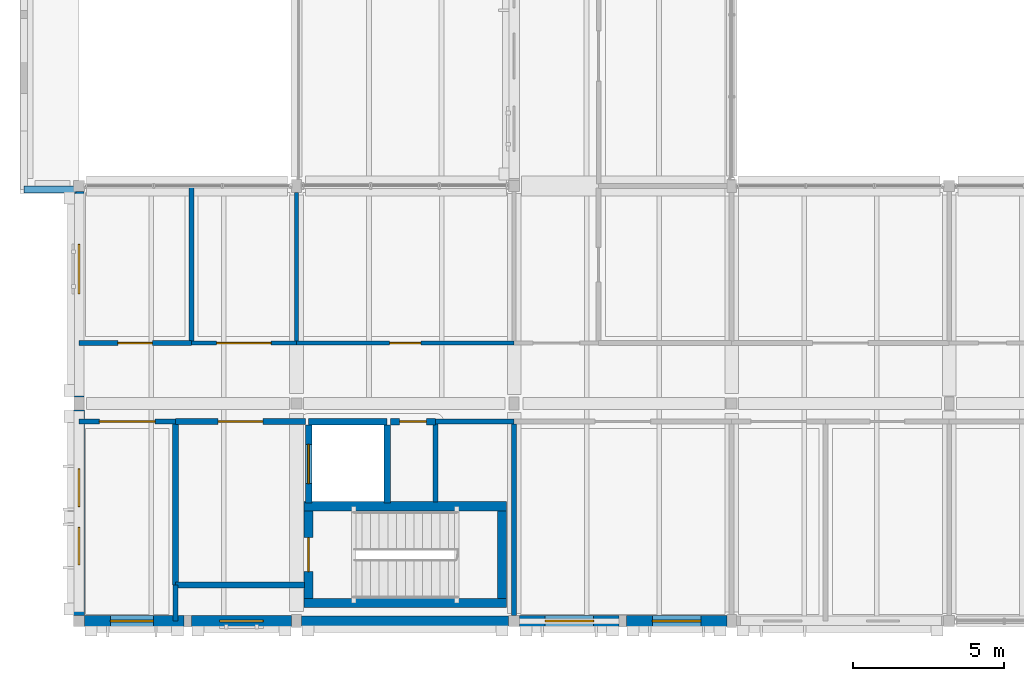
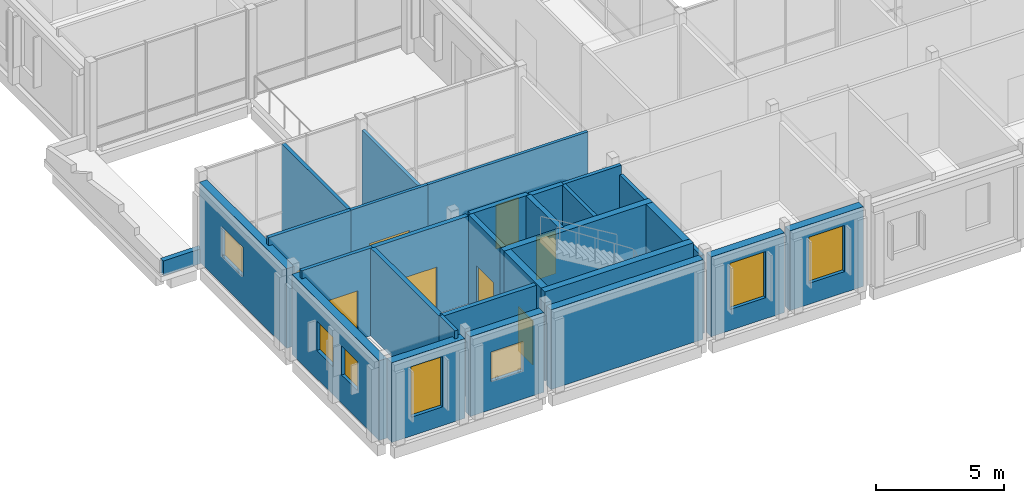
# One storey, part 104 of 146: 29 walls, 8 doors, 7 windows, 15 openings.
"""IFC4 building model written with IfcOpenShell, lengths in metres."""

from ifc_helpers import new_model, si_unit, direction, frame, frame_2d, origin, place, context, subcontext, project, spatial, rectangle, extrude, material, layer, layer_set, type_object, element, fill, save


model = new_model("IFC4")

# Units and contexts
model_context = context("Model", 3, precision=1e-05, world=origin(), true_north=direction((0.0, 1.0)))
body_context = subcontext(model_context, "Body", "Model", "MODEL_VIEW")
ifc_project = project(units=[si_unit("LENGTHUNIT", "METRE"), si_unit("AREAUNIT", "SQUARE_METRE"), si_unit("VOLUMEUNIT", "CUBIC_METRE"), si_unit("PLANEANGLEUNIT", "RADIAN"), si_unit("MASSUNIT", "GRAM", prefix="KILO")], contexts=[model_context])

# Site, building, storey
site_placement = place(None, origin())
site = spatial("IfcSite", under=ifc_project, at=site_placement, CompositionType="ELEMENT")
building_placement = place(site_placement, origin())
building = spatial("IfcBuilding", under=site, at=building_placement, Name="Hawrajan Terrace Health Centre", CompositionType="ELEMENT")
storey_placement = place(building_placement, frame((0.0, 0.0, 4.5)))
storey = spatial("IfcBuildingStorey", under=building, at=storey_placement, Name="L01", CompositionType="ELEMENT", Elevation=4.5)

# Wall, opening, door
ifc_material_1 = material(Name="Gypsum board on acoustic stud framing")
ifc_layer_1 = layer(ifc_material_1, 0.139892578125)
ifc_layer_set_1 = layer_set([ifc_layer_1], Name="Gypsum board on acoustic stud framing")
wall_type_1 = type_object("IfcWallType", Name="ClinicalAcousticWall_140", PredefinedType="PARTITIONING", material=ifc_layer_set_1)
wall_1_placement = place(storey_placement, frame((8.322021484375, 13.39990234375, 0.0), z_axis=(0.0, 0.0, 1.0), x_axis=(1.0, 0.0, 0.0)))
wall_1 = element("IfcWall", 1, at=wall_1_placement, inside=storey, type_object=wall_type_1, Name="Interior wall IW-L01-0519", PredefinedType="PARTITIONING", context=body_context, shape_type="SweptSolid", body=[
    extrude(rectangle(XDim=3.47802734375, YDim=0.139892578125, at=frame_2d((1.739013671875, 0.0))), origin(), (0.0, 0.0, 1.0), 4.179931640625),
])
opening_1_placement = place(wall_1_placement, frame((0.839111328125, 0.0, 0.0)))
opening_1 = element("IfcOpeningElement", 2, at=opening_1_placement, cuts=wall_1, Name="Opening D-L01-364", PredefinedType="OPENING", context=body_context, shape_type="SweptSolid", body=[
    extrude(rectangle(XDim=1.800048828125, YDim=2.300048828125, at=frame_2d((0.89990234375, 1.14990234375))), frame((0.0, 0.079833984375, 0.0), z_axis=(0.0, -1.0, 0.0), x_axis=(1.0, 0.0, 0.0)), (0.0, 0.0, 1.0), 0.159912109375),
])
ifc_material_2 = material(Name="Hardwood acoustic clinical door leaf and frame", Category="wood")
door_type_1 = type_object("IfcDoorType", Name="EducationHallDoor_1800x2300", OperationType="DOUBLE_DOOR_SINGLE_SWING", PredefinedType="DOOR", material=ifc_material_2)
door_1_placement = place(opening_1_placement, origin())
door_1 = element("IfcDoor", 3, at=door_1_placement, inside=storey, type_object=door_type_1, Name="Interior door D-L01-364", OperationType="DOUBLE_DOOR_SINGLE_SWING", OverallHeight=2.300048828125, OverallWidth=1.800048828125, PredefinedType="DOOR", context=body_context, shape_type="SweptSolid", body=[
    extrude(rectangle(XDim=1.800048828125, YDim=2.300048828125, at=frame_2d((0.89990234375, 1.14990234375))), frame((0.0, 0.02490234375, 0.0), z_axis=(0.0, -1.0, 0.0), x_axis=(1.0, 0.0, 0.0)), (0.0, 0.0, 1.0), 0.050048828125),
])
fill(opening_1, door_1)

# Wall
wall_2_placement = place(storey_placement, frame((11.800048828125, 13.469970703125, 0.0), z_axis=(0.0, 0.0, 1.0), x_axis=(0.0, 1.0, 0.0)))
element("IfcWall", 4, at=wall_2_placement, inside=storey, type_object=wall_type_1, Name="Interior wall IW-L01-0523", PredefinedType="PARTITIONING", context=body_context, shape_type="SweptSolid", body=[
    extrude(rectangle(XDim=4.919921875, YDim=0.139892578125, at=frame_2d((2.4599609375, 0.0))), origin(), (0.0, 0.0, 1.0), 3.739990234375),
])

# Wall, opening, door
wall_3_placement = place(storey_placement, frame((11.800048828125, 13.39990234375, 0.0), z_axis=(0.0, 0.0, 1.0), x_axis=(1.0, 0.0, 0.0)))
wall_3 = element("IfcWall", 5, at=wall_3_placement, inside=storey, type_object=wall_type_1, Name="Interior wall IW-L01-0524", PredefinedType="PARTITIONING", context=body_context, shape_type="SweptSolid", body=[
    extrude(rectangle(XDim=7.199951171875, YDim=0.139892578125, at=frame_2d((3.60009765625, 0.0))), origin(), (0.0, 0.0, 1.0), 4.179931640625),
])
opening_2_placement = place(wall_3_placement, frame((3.080078125, 0.0, 0.0)))
opening_2 = element("IfcOpeningElement", 6, at=opening_2_placement, cuts=wall_3, Name="Opening D-L01-365", PredefinedType="OPENING", context=body_context, shape_type="SweptSolid", body=[
    extrude(rectangle(XDim=1.0400390625, YDim=2.10009765625, at=frame_2d((0.52001953125, 1.050048828125))), frame((0.0, 0.079833984375, 0.0), z_axis=(0.0, -1.0, 0.0), x_axis=(1.0, 0.0, 0.0)), (0.0, 0.0, 1.0), 0.159912109375),
])
door_type_2 = type_object("IfcDoorType", Name="ConsultDoor_1040x2100", OperationType="NOTDEFINED", PredefinedType="DOOR", material=ifc_material_2)
door_2_placement = place(opening_2_placement, origin())
door_2 = element("IfcDoor", 7, at=door_2_placement, inside=storey, type_object=door_type_2, Name="Interior door D-L01-365", OperationType="SINGLE_SWING_LEFT", OverallHeight=2.10009765625, OverallWidth=1.0400390625, PredefinedType="DOOR", context=body_context, shape_type="SweptSolid", body=[
    extrude(rectangle(XDim=1.0400390625, YDim=2.10009765625, at=frame_2d((0.52001953125, 1.050048828125))), frame((0.0, 0.02490234375, 0.0), z_axis=(0.0, -1.0, 0.0), x_axis=(1.0, 0.0, 0.0)), (0.0, 0.0, 1.0), 0.050048828125),
])
fill(opening_2, door_2)

# Wall, opening, window
ifc_material_3 = material(Name="Precast concrete C40/50", Category="concrete")
ifc_layer_2 = layer(ifc_material_3, 0.340087890625)
ifc_layer_set_2 = layer_set([ifc_layer_2], Name="Precast concrete C40/50")
wall_type_2 = type_object("IfcWallType", Name="CoralAshlarWall_340", PredefinedType="SOLIDWALL", material=ifc_layer_set_2)
wall_4_placement = place(storey_placement, frame((4.60009765625, 11.610107421875, 0.0), z_axis=(0.0, 0.0, 1.0), x_axis=(0.0, 1.0, 0.0)))
wall_4 = element("IfcWall", 8, at=wall_4_placement, inside=storey, type_object=wall_type_2, Name="Exterior wall EW-L01-V00-01-1", PredefinedType="SOLIDWALL", context=body_context, shape_type="SweptSolid", body=[
    extrude(rectangle(XDim=6.809814453125, YDim=0.340087890625, at=frame_2d((3.40478515625, 0.0))), origin(), (0.0, 0.0, 1.0), 3.800048828125),
])
opening_3_placement = place(wall_4_placement, frame((3.4150390625, 0.0, 1.35009765625)))
opening_3 = element("IfcOpeningElement", 9, at=opening_3_placement, cuts=wall_4, Name="Opening W-L01-048", PredefinedType="OPENING", context=body_context, shape_type="SweptSolid", body=[
    extrude(rectangle(XDim=1.64990234375, YDim=1.39990234375, at=frame_2d((0.824951171875, 0.699951171875))), frame((0.0, 0.179931640625, 0.0), z_axis=(0.0, -1.0, 0.0), x_axis=(1.0, 0.0, 0.0)), (0.0, 0.0, 1.0), 0.360107421875),
])
ifc_material_4 = material(Name="Anodized bronze frame with double low-E glazing", Category="glass")
window_type_1 = type_object("IfcWindowType", Name="FacadeWindow_1650x1400", PartitioningType="DOUBLE_PANEL_VERTICAL", PredefinedType="WINDOW", material=ifc_material_4)
window_1_placement = place(opening_3_placement, origin())
window_1 = element("IfcWindow", 10, at=window_1_placement, inside=storey, type_object=window_type_1, Name="Window W-L01-048", OverallHeight=1.39990234375, OverallWidth=1.64990234375, PartitioningType="DOUBLE_PANEL_VERTICAL", PredefinedType="WINDOW", context=body_context, shape_type="SweptSolid", body=[
    extrude(rectangle(XDim=1.64990234375, YDim=1.39990234375, at=frame_2d((0.824951171875, 0.699951171875))), frame((0.0, 0.030029296875, 0.0), z_axis=(0.0, -1.0, 0.0), x_axis=(1.0, 0.0, 0.0)), (0.0, 0.0, 1.0), 0.06005859375),
])
fill(opening_3, window_1)

# Wall
wall_5_placement = place(storey_placement, frame((11.9599609375, 4.199951171875, 0.0), z_axis=(0.0, 0.0, 1.0), x_axis=(1.0, 0.0, 0.0)))
element("IfcWall", 11, at=wall_5_placement, inside=storey, type_object=wall_type_2, Name="Exterior wall EW-L01-H01-00-1", PredefinedType="SOLIDWALL", context=body_context, shape_type="SweptSolid", body=[
    extrude(rectangle(XDim=6.860107421875, YDim=0.340087890625, at=frame_2d((3.43017578125, 0.0))), origin(), (0.0, 0.0, 1.0), 3.800048828125),
])

# Wall, opening, window
ifc_layer_3 = layer(ifc_material_3, 0.360107421875)
ifc_layer_set_3 = layer_set([ifc_layer_3], Name="Precast concrete C40/50")
wall_type_3 = type_object("IfcWallType", Name="CoralPodiumWall_360", PredefinedType="SOLIDWALL", material=ifc_layer_set_3)
wall_6_placement = place(storey_placement, frame((4.780029296875, 4.199951171875, 0.0), z_axis=(0.0, 0.0, 1.0), x_axis=(1.0, 0.0, 0.0)))
wall_6 = element("IfcWall", 12, at=wall_6_placement, inside=storey, type_object=wall_type_3, Name="Exterior wall EW-L01-H00-00-1", PredefinedType="SOLIDWALL", context=body_context, shape_type="SweptSolid", body=[
    extrude(rectangle(XDim=3.300048828125, YDim=0.360107421875, at=frame_2d((1.64990234375, 0.0))), origin(), (0.0, 0.0, 1.0), 3.800048828125),
])
opening_4_placement = place(wall_6_placement, frame((0.860107421875, 0.0, 0.89990234375)))
opening_4 = element("IfcOpeningElement", 13, at=opening_4_placement, cuts=wall_6, Name="Opening W-L01-044", PredefinedType="OPENING", context=body_context, shape_type="SweptSolid", body=[
    extrude(rectangle(XDim=1.419921875, YDim=2.39990234375, at=frame_2d((0.7099609375, 1.199951171875))), frame((0.0, 0.18994140625, 0.0), z_axis=(0.0, -1.0, 0.0), x_axis=(1.0, 0.0, 0.0)), (0.0, 0.0, 1.0), 0.380126953125),
])
window_type_2 = type_object("IfcWindowType", Name="FacadeWindow_1420x2400", PartitioningType="SINGLE_PANEL", PredefinedType="WINDOW", material=ifc_material_4)
window_2_placement = place(opening_4_placement, origin())
window_2 = element("IfcWindow", 14, at=window_2_placement, inside=storey, type_object=window_type_2, Name="Window W-L01-044", OverallHeight=2.39990234375, OverallWidth=1.419921875, PartitioningType="SINGLE_PANEL", PredefinedType="WINDOW", context=body_context, shape_type="SweptSolid", body=[
    extrude(rectangle(XDim=1.419921875, YDim=2.39990234375, at=frame_2d((0.7099609375, 1.199951171875))), frame((0.0, 0.030029296875, 0.0), z_axis=(0.0, -1.0, 0.0), x_axis=(1.0, 0.0, 0.0)), (0.0, 0.0, 1.0), 0.06005859375),
])
fill(opening_4, window_2)

wall_7_placement = place(storey_placement, frame((8.320068359375, 4.199951171875, 0.0), z_axis=(0.0, 0.0, 1.0), x_axis=(1.0, 0.0, 0.0)))
wall_7 = element("IfcWall", 15, at=wall_7_placement, inside=storey, type_object=wall_type_3, Name="Exterior wall EW-L01-H00-00-2", PredefinedType="SOLIDWALL", context=body_context, shape_type="SweptSolid", body=[
    extrude(rectangle(XDim=3.31982421875, YDim=0.360107421875, at=frame_2d((1.659912109375, 0.0))), origin(), (0.0, 0.0, 1.0), 3.800048828125),
])
opening_5_placement = place(wall_7_placement, frame((0.93505859375, 0.0, 1.35009765625)))
opening_5 = element("IfcOpeningElement", 16, at=opening_5_placement, cuts=wall_7, Name="Opening W-L01-045", PredefinedType="OPENING", context=body_context, shape_type="SweptSolid", body=[
    extrude(rectangle(XDim=1.449951171875, YDim=1.39990234375, at=frame_2d((0.72509765625, 0.699951171875))), frame((0.0, 0.18994140625, 0.0), z_axis=(0.0, -1.0, 0.0), x_axis=(1.0, 0.0, 0.0)), (0.0, 0.0, 1.0), 0.380126953125),
])
window_type_3 = type_object("IfcWindowType", Name="FacadeWindow_1450x1400", PartitioningType="SINGLE_PANEL", PredefinedType="WINDOW", material=ifc_material_4)
window_3_placement = place(opening_5_placement, origin())
window_3 = element("IfcWindow", 17, at=window_3_placement, inside=storey, type_object=window_type_3, Name="Window W-L01-045", OverallHeight=1.39990234375, OverallWidth=1.449951171875, PartitioningType="SINGLE_PANEL", PredefinedType="WINDOW", context=body_context, shape_type="SweptSolid", body=[
    extrude(rectangle(XDim=1.449951171875, YDim=1.39990234375, at=frame_2d((0.72509765625, 0.699951171875))), frame((0.0, 0.030029296875, 0.0), z_axis=(0.0, -1.0, 0.0), x_axis=(1.0, 0.0, 0.0)), (0.0, 0.0, 1.0), 0.06005859375),
])
fill(opening_5, window_3)

# Wall, openings, windows
wall_8_placement = place(storey_placement, frame((4.60009765625, 4.3798828125, 0.0), z_axis=(0.0, 0.0, 1.0), x_axis=(0.0, 1.0, 0.0)))
wall_8 = element("IfcWall", 18, at=wall_8_placement, inside=storey, type_object=wall_type_3, Name="Exterior wall EW-L01-V00-00-1", PredefinedType="SOLIDWALL", context=body_context, shape_type="SweptSolid", body=[
    extrude(rectangle(XDim=6.81005859375, YDim=0.360107421875, at=frame_2d((3.405029296875, 0.0))), origin(), (0.0, 0.0, 1.0), 3.800048828125),
])
opening_6_placement = place(wall_8_placement, frame((1.679931640625, 0.0, 1.35009765625)))
opening_6 = element("IfcOpeningElement", 19, at=opening_6_placement, cuts=wall_8, Name="Opening W-L01-046", PredefinedType="OPENING", context=body_context, shape_type="SweptSolid", body=[
    extrude(rectangle(XDim=1.25, YDim=1.39990234375, at=frame_2d((0.625, 0.699951171875))), frame((0.0, 0.18994140625, 0.0), z_axis=(0.0, -1.0, 0.0), x_axis=(1.0, 0.0, 0.0)), (0.0, 0.0, 1.0), 0.380126953125),
])
opening_7_placement = place(wall_8_placement, frame((3.610107421875, 0.0, 1.35009765625)))
opening_7 = element("IfcOpeningElement", 20, at=opening_7_placement, cuts=wall_8, Name="Opening W-L01-047", PredefinedType="OPENING", context=body_context, shape_type="SweptSolid", body=[
    extrude(rectangle(XDim=1.25, YDim=1.39990234375, at=frame_2d((0.625, 0.699951171875))), frame((0.0, 0.18994140625, 0.0), z_axis=(0.0, -1.0, 0.0), x_axis=(1.0, 0.0, 0.0)), (0.0, 0.0, 1.0), 0.380126953125),
])
window_type_4 = type_object("IfcWindowType", Name="FacadeWindow_1250x1400", PartitioningType="SINGLE_PANEL", PredefinedType="WINDOW", material=ifc_material_4)
window_4_placement = place(opening_6_placement, origin())
window_4 = element("IfcWindow", 21, at=window_4_placement, inside=storey, type_object=window_type_4, Name="Window W-L01-046", OverallHeight=1.39990234375, OverallWidth=1.25, PartitioningType="SINGLE_PANEL", PredefinedType="WINDOW", context=body_context, shape_type="SweptSolid", body=[
    extrude(rectangle(XDim=1.25, YDim=1.39990234375, at=frame_2d((0.625, 0.699951171875))), frame((0.0, 0.030029296875, 0.0), z_axis=(0.0, -1.0, 0.0), x_axis=(1.0, 0.0, 0.0)), (0.0, 0.0, 1.0), 0.06005859375),
])
fill(opening_6, window_4)
window_5_placement = place(opening_7_placement, origin())
window_5 = element("IfcWindow", 22, at=window_5_placement, inside=storey, type_object=window_type_4, Name="Window W-L01-047", OverallHeight=1.39990234375, OverallWidth=1.25, PartitioningType="SINGLE_PANEL", PredefinedType="WINDOW", context=body_context, shape_type="SweptSolid", body=[
    extrude(rectangle(XDim=1.25, YDim=1.39990234375, at=frame_2d((0.625, 0.699951171875))), frame((0.0, 0.030029296875, 0.0), z_axis=(0.0, -1.0, 0.0), x_axis=(1.0, 0.0, 0.0)), (0.0, 0.0, 1.0), 0.06005859375),
])
fill(opening_7, window_5)

# Wall, opening, window
wall_9_placement = place(storey_placement, frame((19.179931640625, 4.199951171875, 0.0), z_axis=(0.0, 0.0, 1.0), x_axis=(1.0, 0.0, 0.0)))
wall_9 = element("IfcWall", 23, at=wall_9_placement, inside=storey, type_object=wall_type_3, Name="Exterior wall EW-L01-H02-00-1", PredefinedType="SOLIDWALL", context=body_context, shape_type="SweptSolid", body=[
    extrude(rectangle(XDim=3.300048828125, YDim=0.360107421875, at=frame_2d((1.64990234375, 0.0))), origin(), (0.0, 0.0, 1.0), 3.800048828125),
])
opening_8_placement = place(wall_9_placement, frame((0.85009765625, 0.0, 1.0)))
opening_8 = element("IfcOpeningElement", 24, at=opening_8_placement, cuts=wall_9, Name="Opening W-L01-058", PredefinedType="OPENING", context=body_context, shape_type="SweptSolid", body=[
    extrude(rectangle(XDim=1.60009765625, YDim=2.199951171875, at=frame_2d((0.800048828125, 1.10009765625))), frame((0.0, 0.18994140625, 0.0), z_axis=(0.0, -1.0, 0.0), x_axis=(1.0, 0.0, 0.0)), (0.0, 0.0, 1.0), 0.380126953125),
])
window_type_5 = type_object("IfcWindowType", Name="FacadeWindow_1600x2200", PartitioningType="DOUBLE_PANEL_VERTICAL", PredefinedType="WINDOW", material=ifc_material_4)
window_6_placement = place(opening_8_placement, origin())
window_6 = element("IfcWindow", 25, at=window_6_placement, inside=storey, type_object=window_type_5, Name="Window W-L01-058", OverallHeight=2.199951171875, OverallWidth=1.60009765625, PartitioningType="DOUBLE_PANEL_VERTICAL", PredefinedType="WINDOW", context=body_context, shape_type="SweptSolid", body=[
    extrude(rectangle(XDim=1.60009765625, YDim=2.199951171875, at=frame_2d((0.800048828125, 1.10009765625))), frame((0.0, 0.030029296875, 0.0), z_axis=(0.0, -1.0, 0.0), x_axis=(1.0, 0.0, 0.0)), (0.0, 0.0, 1.0), 0.06005859375),
])
fill(opening_8, window_6)

wall_10_placement = place(storey_placement, frame((22.719970703125, 4.199951171875, 0.0), z_axis=(0.0, 0.0, 1.0), x_axis=(1.0, 0.0, 0.0)))
wall_10 = element("IfcWall", 26, at=wall_10_placement, inside=storey, type_object=wall_type_3, Name="Exterior wall EW-L01-H02-00-2", PredefinedType="SOLIDWALL", context=body_context, shape_type="SweptSolid", body=[
    extrude(rectangle(XDim=3.320068359375, YDim=0.360107421875, at=frame_2d((1.66015625, 0.0))), origin(), (0.0, 0.0, 1.0), 3.800048828125),
])
opening_9_placement = place(wall_10_placement, frame((0.860107421875, 0.0, 1.0)))
opening_9 = element("IfcOpeningElement", 27, at=opening_9_placement, cuts=wall_10, Name="Opening W-L01-059", PredefinedType="OPENING", context=body_context, shape_type="SweptSolid", body=[
    extrude(rectangle(XDim=1.60009765625, YDim=2.199951171875, at=frame_2d((0.800048828125, 1.10009765625))), frame((0.0, 0.18994140625, 0.0), z_axis=(0.0, -1.0, 0.0), x_axis=(1.0, 0.0, 0.0)), (0.0, 0.0, 1.0), 0.380126953125),
])
window_7_placement = place(opening_9_placement, origin())
window_7 = element("IfcWindow", 28, at=window_7_placement, inside=storey, type_object=window_type_5, Name="Window W-L01-059", OverallHeight=2.199951171875, OverallWidth=1.60009765625, PartitioningType="DOUBLE_PANEL_VERTICAL", PredefinedType="WINDOW", context=body_context, shape_type="SweptSolid", body=[
    extrude(rectangle(XDim=1.60009765625, YDim=2.199951171875, at=frame_2d((0.800048828125, 1.10009765625))), frame((0.0, 0.030029296875, 0.0), z_axis=(0.0, -1.0, 0.0), x_axis=(1.0, 0.0, 0.0)), (0.0, 0.0, 1.0), 0.06005859375),
])
fill(opening_9, window_7)

# Walls
ifc_material_5 = material(Name="Concrete C40/50", Category="concrete")
ifc_layer_4 = layer(ifc_material_5, 0.300048828125)
ifc_layer_set_4 = layer_set([ifc_layer_4], Name="Concrete C40/50")
wall_type_4 = type_object("IfcWallType", Name="CoreShearWall_RC300", PredefinedType="SHEAR", material=ifc_layer_set_4)
for number, where, z_axis, x_axis, name in (
    (29, (12.050048828125, 4.800048828125, 0.0), (0.0, 0.0, 1.0), (1.0, 0.0, 0.0), "Core shear wall SW-C3-L01-S"),
    (30, (12.050048828125, 8.0, 0.0), (0.0, 0.0, 1.0), (1.0, 0.0, 0.0), "Core shear wall SW-C3-L01-N"),
):
    element("IfcWall", number, at=place(storey_placement, frame(where, z_axis=z_axis, x_axis=x_axis)), inside=storey, type_object=wall_type_4, Name=name, PredefinedType="SHEAR", context=body_context, shape_type="SweptSolid", body=[
        extrude(rectangle(XDim=6.699951171875, YDim=0.300048828125, at=frame_2d((3.35009765625, 0.0))), origin(), (0.0, 0.0, 1.0), 4.25),
    ])

# Wall, opening, door
wall_11_placement = place(storey_placement, frame((12.199951171875, 4.949951171875, 0.0), z_axis=(0.0, 0.0, 1.0), x_axis=(0.0, 1.0, 0.0)))
wall_11 = element("IfcWall", 31, at=wall_11_placement, inside=storey, type_object=wall_type_4, Name="Core shear wall SW-C3-L01-W", PredefinedType="SHEAR", context=body_context, shape_type="SweptSolid", body=[
    extrude(rectangle(XDim=2.900146484375, YDim=0.300048828125, at=frame_2d((1.4501953125, 0.0))), origin(), (0.0, 0.0, 1.0), 4.25),
])
opening_10_placement = place(wall_11_placement, frame((0.889892578125, 0.0, 0.0)))
opening_10 = element("IfcOpeningElement", 32, at=opening_10_placement, cuts=wall_11, Name="Opening D-L01-241", PredefinedType="OPENING", context=body_context, shape_type="SweptSolid", body=[
    extrude(rectangle(XDim=1.1201171875, YDim=2.10009765625, at=frame_2d((0.56005859375, 1.050048828125))), frame((0.0, 0.159912109375, 0.0), z_axis=(0.0, -1.0, 0.0), x_axis=(1.0, 0.0, 0.0)), (0.0, 0.0, 1.0), 0.320068359375),
])
ifc_material_6 = material(Name="Timber-veneered acoustic fire-resisting door assembly", Category="wood")
door_type_3 = type_object("IfcDoorType", Name="CoreStairDoor_1120x2100", OperationType="NOTDEFINED", PredefinedType="DOOR", material=ifc_material_6)
door_3_placement = place(opening_10_placement, origin())
door_3 = element("IfcDoor", 33, at=door_3_placement, inside=storey, type_object=door_type_3, Name="Interior door D-L01-241", OperationType="SINGLE_SWING_LEFT", OverallHeight=2.10009765625, OverallWidth=1.1201171875, PredefinedType="DOOR", context=body_context, shape_type="SweptSolid", body=[
    extrude(rectangle(XDim=1.1201171875, YDim=2.10009765625, at=frame_2d((0.56005859375, 1.050048828125))), frame((0.0, 0.02490234375, 0.0), z_axis=(0.0, -1.0, 0.0), x_axis=(1.0, 0.0, 0.0)), (0.0, 0.0, 1.0), 0.050048828125),
])
fill(opening_10, door_3)

# Wall
wall_12_placement = place(storey_placement, frame((18.60009765625, 4.949951171875, 0.0), z_axis=(0.0, 0.0, 1.0), x_axis=(0.0, 1.0, 0.0)))
element("IfcWall", 34, at=wall_12_placement, inside=storey, type_object=wall_type_4, Name="Core shear wall SW-C3-L01-E", PredefinedType="SHEAR", context=body_context, shape_type="SweptSolid", body=[
    extrude(rectangle(XDim=2.900146484375, YDim=0.300048828125, at=frame_2d((1.4501953125, 0.0))), origin(), (0.0, 0.0, 1.0), 4.25),
])

# Wall, opening, door
ifc_layer_5 = layer(ifc_material_1, 0.159912109375)
ifc_layer_set_5 = layer_set([ifc_layer_5], Name="Gypsum board on acoustic stud framing")
wall_type_5 = type_object("IfcWallType", Name="CorridorFireWall_160", PredefinedType="PARTITIONING", material=ifc_layer_set_5)
wall_13_placement = place(storey_placement, frame((4.60009765625, 10.800048828125, 0.0), z_axis=(0.0, 0.0, 1.0), x_axis=(1.0, 0.0, 0.0)))
wall_13 = element("IfcWall", 35, at=wall_13_placement, inside=storey, type_object=wall_type_5, Name="Interior wall IW-L01-0506", PredefinedType="PARTITIONING", context=body_context, shape_type="SweptSolid", body=[
    extrude(rectangle(XDim=3.199951171875, YDim=0.159912109375, at=frame_2d((1.60009765625, 0.0))), origin(), (0.0, 0.0, 1.0), 4.179931640625),
])
opening_11_placement = place(wall_13_placement, frame((0.679931640625, 0.0, 0.0)))
opening_11 = element("IfcOpeningElement", 36, at=opening_11_placement, cuts=wall_13, Name="Opening D-L01-362", PredefinedType="OPENING", context=body_context, shape_type="SweptSolid", body=[
    extrude(rectangle(XDim=1.840087890625, YDim=2.35009765625, at=frame_2d((0.919921875, 1.175048828125))), frame((0.0, 0.08984375, 0.0), z_axis=(0.0, -1.0, 0.0), x_axis=(1.0, 0.0, 0.0)), (0.0, 0.0, 1.0), 0.179931640625),
])
door_type_4 = type_object("IfcDoorType", Name="SurgicalTheatreDoor_1840x2350", OperationType="DOUBLE_DOOR_SINGLE_SWING", PredefinedType="DOOR", material=ifc_material_6)
door_4_placement = place(opening_11_placement, origin())
door_4 = element("IfcDoor", 37, at=door_4_placement, inside=storey, type_object=door_type_4, Name="Interior door D-L01-362", OperationType="DOUBLE_DOOR_SINGLE_SWING", OverallHeight=2.35009765625, OverallWidth=1.840087890625, PredefinedType="DOOR", context=body_context, shape_type="SweptSolid", body=[
    extrude(rectangle(XDim=1.840087890625, YDim=2.35009765625, at=frame_2d((0.919921875, 1.175048828125))), frame((0.0, 0.02490234375, 0.0), z_axis=(0.0, -1.0, 0.0), x_axis=(1.0, 0.0, 0.0)), (0.0, 0.0, 1.0), 0.050048828125),
])
fill(opening_11, door_4)

wall_14_placement = place(storey_placement, frame((4.60009765625, 13.39990234375, 0.0), z_axis=(0.0, 0.0, 1.0), x_axis=(1.0, 0.0, 0.0)))
wall_14 = element("IfcWall", 38, at=wall_14_placement, inside=storey, type_object=wall_type_5, Name="Interior wall IW-L01-0507", PredefinedType="PARTITIONING", context=body_context, shape_type="SweptSolid", body=[
    extrude(rectangle(XDim=3.721923828125, YDim=0.159912109375, at=frame_2d((1.86083984375, 0.0))), origin(), (0.0, 0.0, 1.0), 4.179931640625),
])
opening_12_placement = place(wall_14_placement, frame((1.291015625, 0.0, 0.0)))
opening_12 = element("IfcOpeningElement", 39, at=opening_12_placement, cuts=wall_14, Name="Opening D-L01-363", PredefinedType="OPENING", context=body_context, shape_type="SweptSolid", body=[
    extrude(rectangle(XDim=1.139892578125, YDim=2.14990234375, at=frame_2d((0.56982421875, 1.074951171875))), frame((0.0, 0.08984375, 0.0), z_axis=(0.0, -1.0, 0.0), x_axis=(1.0, 0.0, 0.0)), (0.0, 0.0, 1.0), 0.179931640625),
])
door_type_5 = type_object("IfcDoorType", Name="ClinicalFireDoor_1140x2150", OperationType="NOTDEFINED", PredefinedType="DOOR", material=ifc_material_6)
door_5_placement = place(opening_12_placement, origin())
door_5 = element("IfcDoor", 40, at=door_5_placement, inside=storey, type_object=door_type_5, Name="Interior door D-L01-363", OperationType="SINGLE_SWING_LEFT", OverallHeight=2.14990234375, OverallWidth=1.139892578125, PredefinedType="DOOR", context=body_context, shape_type="SweptSolid", body=[
    extrude(rectangle(XDim=1.139892578125, YDim=2.14990234375, at=frame_2d((0.56982421875, 1.074951171875))), frame((0.0, 0.02490234375, 0.0), z_axis=(0.0, -1.0, 0.0), x_axis=(1.0, 0.0, 0.0)), (0.0, 0.0, 1.0), 0.050048828125),
])
fill(opening_12, door_5)

# Walls
wall_15_placement = place(storey_placement, frame((8.322021484375, 13.469970703125, 0.0), z_axis=(0.0, 0.0, 1.0), x_axis=(0.0, 1.0, 0.0)))
element("IfcWall", 41, at=wall_15_placement, inside=storey, type_object=wall_type_5, Name="Interior wall IW-L01-0518", PredefinedType="PARTITIONING", context=body_context, shape_type="SweptSolid", body=[
    extrude(rectangle(XDim=5.130126953125, YDim=0.159912109375, at=frame_2d((2.56494140625, 0.0))), origin(), (0.0, 0.0, 1.0), 4.179931640625),
])
wall_16_placement = place(storey_placement, frame((16.39990234375, 8.139892578125, 0.0), z_axis=(0.0, 0.0, 1.0), x_axis=(0.0, 1.0, 0.0)))
element("IfcWall", 42, at=wall_16_placement, inside=storey, type_object=wall_type_5, Name="Interior wall IW-L01-0843", PredefinedType="PARTITIONING", context=body_context, shape_type="SweptSolid", body=[
    extrude(rectangle(XDim=2.590087890625, YDim=0.159912109375, at=frame_2d((1.294921875, 0.0))), origin(), (0.0, 0.0, 1.0), 4.179931640625),
])
wall_17_placement = place(storey_placement, frame((16.39990234375, 10.800048828125, 0.0), z_axis=(0.0, 0.0, 1.0), x_axis=(1.0, 0.0, 0.0)))
element("IfcWall", 43, at=wall_17_placement, inside=storey, type_object=wall_type_5, Name="Interior wall IW-L01-0859", PredefinedType="PARTITIONING", context=body_context, shape_type="SweptSolid", body=[
    extrude(rectangle(XDim=2.60009765625, YDim=0.159912109375, at=frame_2d((1.300048828125, 0.0))), origin(), (0.0, 0.0, 1.0), 4.179931640625),
])
wall_18_placement = place(storey_placement, frame((7.800048828125, 4.199951171875, 0.0), z_axis=(0.0, 0.0, 1.0), x_axis=(0.0, 1.0, 0.0)))
element("IfcWall", 44, at=wall_18_placement, inside=storey, type_object=wall_type_5, Name="Interior wall IW-L01-0944", PredefinedType="PARTITIONING", context=body_context, shape_type="SweptSolid", body=[
    extrude(rectangle(XDim=1.199951171875, YDim=0.159912109375, at=frame_2d((0.60009765625, 0.0))), origin(), (0.0, 0.0, 1.0), 4.179931640625),
])
wall_19_placement = place(storey_placement, frame((19.0, 4.3798828125, 0.0), z_axis=(0.0, 0.0, 1.0), x_axis=(0.0, 1.0, 0.0)))
element("IfcWall", 45, at=wall_19_placement, inside=storey, type_object=wall_type_5, Name="Interior wall IW-L01-0945", PredefinedType="PARTITIONING", context=body_context, shape_type="SweptSolid", body=[
    extrude(rectangle(XDim=6.35009765625, YDim=0.159912109375, at=frame_2d((3.175048828125, 0.0))), origin(), (0.0, 0.0, 1.0), 3.739990234375),
])
ifc_material_7 = material(Name="Cross-laminated timber CLT C24", Category="wood")
ifc_layer_6 = layer(ifc_material_7, 0.199951171875)
ifc_layer_set_6 = layer_set([ifc_layer_6], Name="Cross-laminated timber CLT C24")
wall_type_6 = type_object("IfcWallType", Name="FireCompartmentWall_200", PredefinedType="PARTITIONING", material=ifc_layer_set_6)
wall_20_placement = place(storey_placement, frame((7.800048828125, 5.39990234375, 0.0), z_axis=(0.0, 0.0, 1.0), x_axis=(0.0, 1.0, 0.0)))
element("IfcWall", 46, at=wall_20_placement, inside=storey, type_object=wall_type_6, Name="Interior wall IW-L01-0514", PredefinedType="PARTITIONING", context=body_context, shape_type="SweptSolid", body=[
    extrude(rectangle(XDim=5.330078125, YDim=0.199951171875, at=frame_2d((2.6650390625, 0.0))), origin(), (0.0, 0.0, 1.0), 4.179931640625),
])

# Wall, opening, door
wall_21_placement = place(storey_placement, frame((7.800048828125, 10.800048828125, 0.0), z_axis=(0.0, 0.0, 1.0), x_axis=(1.0, 0.0, 0.0)))
wall_21 = element("IfcWall", 47, at=wall_21_placement, inside=storey, type_object=wall_type_6, Name="Interior wall IW-L01-0515", PredefinedType="PARTITIONING", context=body_context, shape_type="SweptSolid", body=[
    extrude(rectangle(XDim=4.2900390625, YDim=0.199951171875, at=frame_2d((2.14501953125, 0.0))), origin(), (0.0, 0.0, 1.0), 4.179931640625),
])
opening_13_placement = place(wall_21_placement, frame((1.405029296875, 0.0, 0.0)))
opening_13 = element("IfcOpeningElement", 48, at=opening_13_placement, cuts=wall_21, Name="Opening D-L01-250", PredefinedType="OPENING", context=body_context, shape_type="SweptSolid", body=[
    extrude(rectangle(XDim=1.47998046875, YDim=2.25, at=frame_2d((0.739990234375, 1.125))), frame((0.0, 0.10986328125, 0.0), z_axis=(0.0, -1.0, 0.0), x_axis=(1.0, 0.0, 0.0)), (0.0, 0.0, 1.0), 0.219970703125),
])
door_type_6 = type_object("IfcDoorType", Name="FFLobbyDoor_1480x2250", OperationType="DOUBLE_DOOR_SINGLE_SWING", PredefinedType="DOOR", material=ifc_material_6)
door_6_placement = place(opening_13_placement, origin())
door_6 = element("IfcDoor", 49, at=door_6_placement, inside=storey, type_object=door_type_6, Name="Interior door D-L01-250", OperationType="DOUBLE_DOOR_SINGLE_SWING", OverallHeight=2.25, OverallWidth=1.47998046875, PredefinedType="DOOR", context=body_context, shape_type="SweptSolid", body=[
    extrude(rectangle(XDim=1.47998046875, YDim=2.25, at=frame_2d((0.739990234375, 1.125))), frame((0.0, 0.02490234375, 0.0), z_axis=(0.0, -1.0, 0.0), x_axis=(1.0, 0.0, 0.0)), (0.0, 0.0, 1.0), 0.050048828125),
])
fill(opening_13, door_6)

# Walls
wall_22_placement = place(storey_placement, frame((7.800048828125, 5.39990234375, 0.0), z_axis=(0.0, 0.0, 1.0), x_axis=(1.0, 0.0, 0.0)))
element("IfcWall", 50, at=wall_22_placement, inside=storey, type_object=wall_type_6, Name="Interior wall IW-L01-0847", PredefinedType="PARTITIONING", context=body_context, shape_type="SweptSolid", body=[
    extrude(rectangle(XDim=4.260009765625, YDim=0.199951171875, at=frame_2d((2.1298828125, 0.0))), origin(), (0.0, 0.0, 1.0), 4.179931640625),
])
ifc_layer_7 = layer(ifc_material_5, 0.219970703125)
ifc_layer_set_7 = layer_set([ifc_layer_7], Name="Concrete C40/50")
wall_type_7 = type_object("IfcWallType", Name="ShaftWall_RC220", PredefinedType="SOLIDWALL", material=ifc_layer_set_7)
wall_23_placement = place(storey_placement, frame((12.199951171875, 10.800048828125, 0.0), z_axis=(0.0, 0.0, 1.0), x_axis=(1.0, 0.0, 0.0)))
element("IfcWall", 51, at=wall_23_placement, inside=storey, type_object=wall_type_7, Name="Lift shaft wall LW-LC-04-L01-N", PredefinedType="SOLIDWALL", context=body_context, shape_type="SweptSolid", body=[
    extrude(rectangle(XDim=2.60009765625, YDim=0.219970703125, at=frame_2d((1.300048828125, 0.0))), origin(), (0.0, 0.0, 1.0), 4.25),
])

# Wall, opening, door
wall_24_placement = place(storey_placement, frame((12.199951171875, 8.110107421875, 0.0), z_axis=(0.0, 0.0, 1.0), x_axis=(0.0, 1.0, 0.0)))
wall_24 = element("IfcWall", 52, at=wall_24_placement, inside=storey, type_object=wall_type_7, Name="Lift shaft wall LW-LC-04-L01-W", PredefinedType="SOLIDWALL", context=body_context, shape_type="SweptSolid", body=[
    extrude(rectangle(XDim=2.579833984375, YDim=0.219970703125, at=frame_2d((1.2900390625, 0.0))), origin(), (0.0, 0.0, 1.0), 4.25),
])
opening_14_placement = place(wall_24_placement, frame((0.639892578125, 0.0, 0.0)))
opening_14 = element("IfcOpeningElement", 53, at=opening_14_placement, cuts=wall_24, Name="Opening LD-L01-LC-04", PredefinedType="OPENING", context=body_context, shape_type="SweptSolid", body=[
    extrude(rectangle(XDim=1.300048828125, YDim=2.199951171875, at=frame_2d((0.64990234375, 1.10009765625))), frame((0.0, 0.119873046875, 0.0), z_axis=(0.0, -1.0, 0.0), x_axis=(1.0, 0.0, 0.0)), (0.0, 0.0, 1.0), 0.239990234375),
])
ifc_material_8 = material(Name="Brushed bronze stainless-steel sliding lift landing door", Category="steel")
door_type_7 = type_object("IfcDoorType", Name="LiftLandingDoor_1300x2200", OperationType="SLIDING_TO_LEFT", PredefinedType="DOOR", material=ifc_material_8)
door_7_placement = place(opening_14_placement, origin())
door_7 = element("IfcDoor", 54, at=door_7_placement, inside=storey, type_object=door_type_7, Name="Lift landing door LD-L01-LC-04", OperationType="SLIDING_TO_LEFT", OverallHeight=2.199951171875, OverallWidth=1.300048828125, PredefinedType="DOOR", context=body_context, shape_type="SweptSolid", body=[
    extrude(rectangle(XDim=1.300048828125, YDim=2.199951171875, at=frame_2d((0.64990234375, 1.10009765625))), frame((0.0, 0.02490234375, 0.0), z_axis=(0.0, -1.0, 0.0), x_axis=(1.0, 0.0, 0.0)), (0.0, 0.0, 1.0), 0.050048828125),
])
fill(opening_14, door_7)

# Wall
wall_25_placement = place(storey_placement, frame((14.800048828125, 8.110107421875, 0.0), z_axis=(0.0, 0.0, 1.0), x_axis=(0.0, 1.0, 0.0)))
element("IfcWall", 55, at=wall_25_placement, inside=storey, type_object=wall_type_7, Name="Lift shaft wall LW-LC-04-L01-E", PredefinedType="SOLIDWALL", context=body_context, shape_type="SweptSolid", body=[
    extrude(rectangle(XDim=2.579833984375, YDim=0.219970703125, at=frame_2d((1.2900390625, 0.0))), origin(), (0.0, 0.0, 1.0), 4.25),
])

# Wall, opening, door
wall_26_placement = place(storey_placement, frame((14.909912109375, 10.800048828125, 0.0), z_axis=(0.0, 0.0, 1.0), x_axis=(1.0, 0.0, 0.0)))
wall_26 = element("IfcWall", 56, at=wall_26_placement, inside=storey, type_object=wall_type_7, Name="Interior wall IW-L01-0536", PredefinedType="SOLIDWALL", context=body_context, shape_type="SweptSolid", body=[
    extrude(rectangle(XDim=1.489990234375, YDim=0.219970703125, at=frame_2d((0.7451171875, 0.0))), origin(), (0.0, 0.0, 1.0), 4.179931640625),
])
opening_15_placement = place(wall_26_placement, frame((0.304931640625, 0.0, 0.0)))
opening_15 = element("IfcOpeningElement", 57, at=opening_15_placement, cuts=wall_26, Name="Opening D-L01-298", PredefinedType="OPENING", context=body_context, shape_type="SweptSolid", body=[
    extrude(rectangle(XDim=0.8798828125, YDim=2.050048828125, at=frame_2d((0.43994140625, 1.02490234375))), frame((0.0, 0.119873046875, 0.0), z_axis=(0.0, -1.0, 0.0), x_axis=(1.0, 0.0, 0.0)), (0.0, 0.0, 1.0), 0.239990234375),
])
door_type_8 = type_object("IfcDoorType", Name="RiserAccessDoor_880x2050", OperationType="NOTDEFINED", PredefinedType="DOOR", material=ifc_material_6)
door_8_placement = place(opening_15_placement, origin())
door_8 = element("IfcDoor", 58, at=door_8_placement, inside=storey, type_object=door_type_8, Name="Service riser access door D-L01-298", OperationType="SINGLE_SWING_RIGHT", OverallHeight=2.050048828125, OverallWidth=0.8798828125, PredefinedType="DOOR", context=body_context, shape_type="SweptSolid", body=[
    extrude(rectangle(XDim=0.8798828125, YDim=2.050048828125, at=frame_2d((0.43994140625, 1.02490234375))), frame((0.0, 0.02490234375, 0.0), z_axis=(0.0, -1.0, 0.0), x_axis=(1.0, 0.0, 0.0)), (0.0, 0.0, 1.0), 0.050048828125),
])
fill(opening_15, door_8)

# Wall
ifc_layer_8 = layer(ifc_material_3, 0.22998046875)
ifc_layer_set_8 = layer_set([ifc_layer_8], Name="Precast concrete C40/50")
wall_type_8 = type_object("IfcWallType", Name="ZigguratParapet_230", PredefinedType="PARAPET", material=ifc_layer_set_8)
wall_27_placement = place(storey_placement, frame((2.780029296875, 18.47998046875, -0.050048828125), z_axis=(0.0, 0.0, 1.0), x_axis=(1.0, 0.0, 0.0)))
element("IfcWall", 59, at=wall_27_placement, inside=storey, type_object=wall_type_8, Name="Stepped Art Deco parapet PAR-PORT-W-S", PredefinedType="PARAPET", context=body_context, shape_type="SweptSolid", body=[
    extrude(rectangle(XDim=1.719970703125, YDim=0.22998046875, at=frame_2d((0.85986328125, 0.0))), origin(), (0.0, 0.0, 1.0), 0.699951171875),
])

save(model, "model.ifc")
